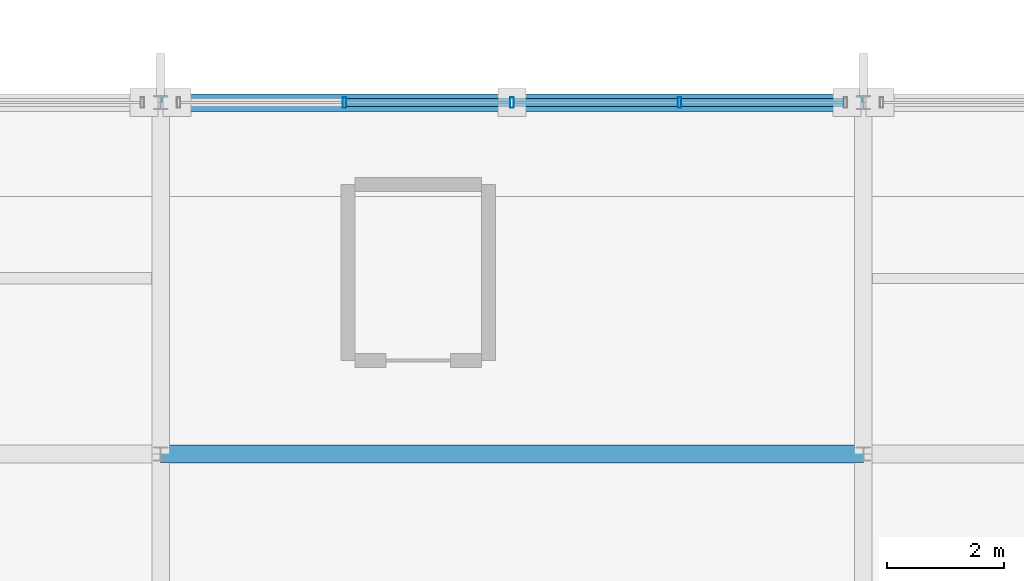
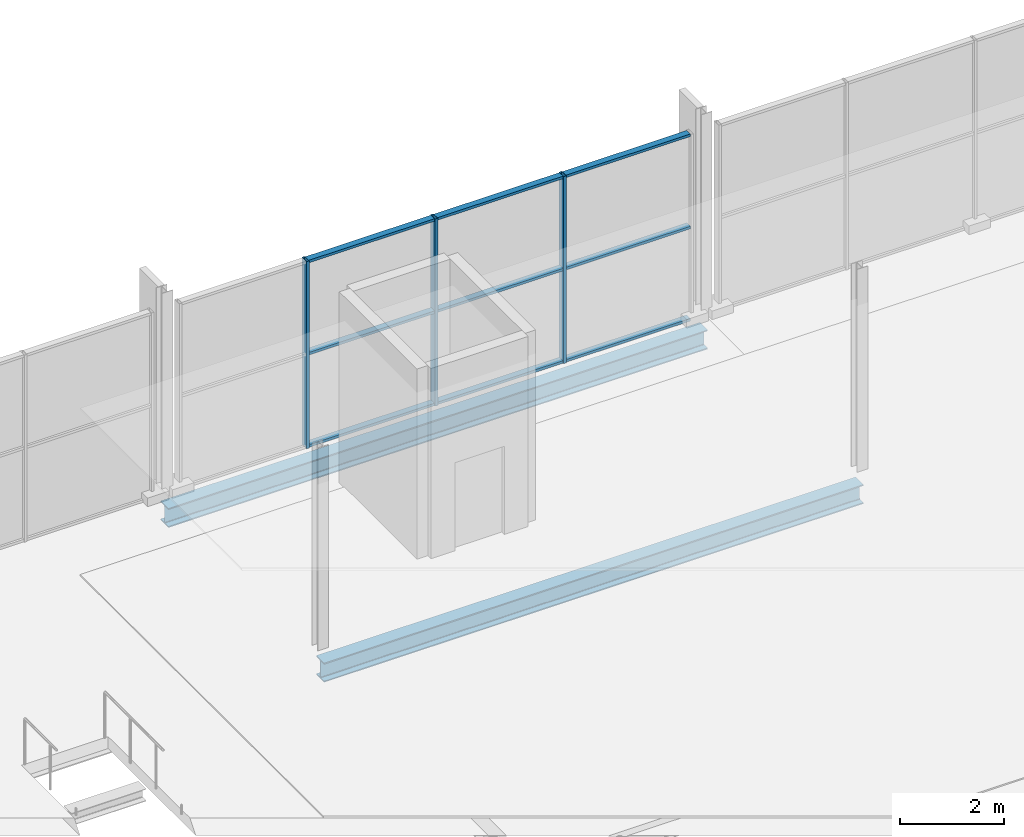
# One storey, part 64 of 159: 12 members, 2 beams, 1 element without a shape of its own.
"""IFC4 building model written with IfcOpenShell, lengths in metres."""

from ifc_helpers import new_model, si_unit, direction, frame, origin, origin_2d, place, context, subcontext, project, spatial, hollow_rectangle, i_section, extrude, material, material_profile, profile_set, type_object, element, aggregate, save


model = new_model("IFC4")

# Units and contexts
model_context = context("Model", 3, precision=1e-05, world=origin(), true_north=direction((0.0, 1.0)))
body_context = subcontext(model_context, "Body", "Model", "MODEL_VIEW")
ifc_project = project(units=[si_unit("LENGTHUNIT", "METRE"), si_unit("AREAUNIT", "SQUARE_METRE"), si_unit("VOLUMEUNIT", "CUBIC_METRE"), si_unit("PLANEANGLEUNIT", "RADIAN"), si_unit("MASSUNIT", "GRAM", prefix="KILO")], contexts=[model_context])

# Site, building, storey
site_placement = place(None, origin())
site = spatial("IfcSite", under=ifc_project, at=site_placement, CompositionType="ELEMENT")
building_placement = place(site_placement, origin())
building = spatial("IfcBuilding", under=site, at=building_placement, Name="Merenkruunu Market Hall", CompositionType="ELEMENT")
storey_placement = place(building_placement, frame((0.0, 0.0, 5.39990234375)))
storey = spatial("IfcBuildingStorey", under=building, at=storey_placement, Name="L01", CompositionType="ELEMENT", Elevation=5.39990234375)

# Curtain wall, members
ifc_material_1 = material(Name="Powder-coated aluminium", Category="aluminium")
curtain_wall_type = type_object("IfcCurtainWallType", Name="Glazed Curtain Wall CW05", PredefinedType="USERDEFINED", material=ifc_material_1)
curtain_wall_placement = place(storey_placement, origin())
curtain_wall = element("IfcCurtainWall", 1, at=curtain_wall_placement, inside=storey, type_object=curtain_wall_type, Name="CW-L01-CWM02-189", ObjectType="GLAZED_FACADE", PredefinedType="USERDEFINED")
ifc_material_profile_1 = material_profile(ifc_material_1, hollow_rectangle(XDim=0.06005859375, YDim=0.179931640625, WallThickness=0.00390625, at=origin_2d()), Name="ALU 60x180x4")
ifc_profile_set_1 = profile_set([ifc_material_profile_1], Name="Powder-coated aluminium")
member_type_1 = type_object("IfcMemberType", Name="Curtain Wall Mullion CWM02", PredefinedType="MULLION", material=ifc_profile_set_1)
member_1_placement = place(storey_placement, frame((103.93994140625, 45.60009765625, 0.0), z_axis=(0.0, 0.0, 1.0), x_axis=(1.0, 0.0, 0.0)))
member_1 = element("IfcMember", 2, at=member_1_placement, type_object=member_type_1, Name="CW05 mullion 2", PredefinedType="MULLION", context=body_context, shape_type="SweptSolid", body=[
    extrude(hollow_rectangle(XDim=0.06005859375, YDim=0.179931640625, WallThickness=0.00390625, at=origin_2d()), origin(), (0.0, 0.0, 1.0), 4.400146484375),
])
member_2_placement = place(storey_placement, frame((106.800048828125, 45.60009765625, 0.0), z_axis=(0.0, 0.0, 1.0), x_axis=(1.0, 0.0, 0.0)))
member_2 = element("IfcMember", 3, at=member_2_placement, type_object=member_type_1, Name="CW05 mullion 3", PredefinedType="MULLION", context=body_context, shape_type="SweptSolid", body=[
    extrude(hollow_rectangle(XDim=0.06005859375, YDim=0.179931640625, WallThickness=0.00390625, at=origin_2d()), origin(), (0.0, 0.0, 1.0), 4.400146484375),
])
member_3_placement = place(storey_placement, frame((109.659912109375, 45.60009765625, 0.0), z_axis=(0.0, 0.0, 1.0), x_axis=(1.0, 0.0, 0.0)))
member_3 = element("IfcMember", 4, at=member_3_placement, type_object=member_type_1, Name="CW05 mullion 4", PredefinedType="MULLION", context=body_context, shape_type="SweptSolid", body=[
    extrude(hollow_rectangle(XDim=0.06005859375, YDim=0.179931640625, WallThickness=0.00390625, at=origin_2d()), origin(), (0.0, 0.0, 1.0), 4.400146484375),
])
ifc_material_profile_2 = material_profile(ifc_material_1, hollow_rectangle(XDim=0.06005859375, YDim=0.139892578125, WallThickness=0.00390625, at=origin_2d()), Name="ALU 60x140x4")
ifc_profile_set_2 = profile_set([ifc_material_profile_2], Name="Powder-coated aluminium")
member_type_2 = type_object("IfcMemberType", Name="Curtain Wall Transom CWT02", PredefinedType="USERDEFINED", material=ifc_profile_set_2)
member_4_placement = place(storey_placement, frame((103.969970703125, 45.60009765625, 0.030029296875), z_axis=(1.0, 0.0, 0.0), x_axis=(0.0, 0.0, 1.0)))
member_4 = element("IfcMember", 5, at=member_4_placement, type_object=member_type_2, Name="CW05 transom 2.1", ObjectType="TRANSOM", PredefinedType="USERDEFINED", context=body_context, shape_type="SweptSolid", body=[
    extrude(hollow_rectangle(XDim=0.06005859375, YDim=0.139892578125, WallThickness=0.00390625, at=origin_2d()), origin(), (0.0, 0.0, 1.0), 2.800048828125),
])
member_5_placement = place(storey_placement, frame((103.969970703125, 45.60009765625, 2.2001953125), z_axis=(1.0, 0.0, 0.0), x_axis=(0.0, 0.0, 1.0)))
member_5 = element("IfcMember", 6, at=member_5_placement, type_object=member_type_2, Name="CW05 transom 2.2", ObjectType="TRANSOM", PredefinedType="USERDEFINED", context=body_context, shape_type="SweptSolid", body=[
    extrude(hollow_rectangle(XDim=0.06005859375, YDim=0.139892578125, WallThickness=0.00390625, at=origin_2d()), origin(), (0.0, 0.0, 1.0), 2.800048828125),
])
member_6_placement = place(storey_placement, frame((103.969970703125, 45.60009765625, 4.3701171875), z_axis=(1.0, 0.0, 0.0), x_axis=(0.0, 0.0, 1.0)))
member_6 = element("IfcMember", 7, at=member_6_placement, type_object=member_type_2, Name="CW05 transom 2.3", ObjectType="TRANSOM", PredefinedType="USERDEFINED", context=body_context, shape_type="SweptSolid", body=[
    extrude(hollow_rectangle(XDim=0.06005859375, YDim=0.139892578125, WallThickness=0.00390625, at=origin_2d()), origin(), (0.0, 0.0, 1.0), 2.800048828125),
])
member_7_placement = place(storey_placement, frame((106.830078125, 45.60009765625, 0.030029296875), z_axis=(1.0, 0.0, 0.0), x_axis=(0.0, 0.0, 1.0)))
member_7 = element("IfcMember", 8, at=member_7_placement, type_object=member_type_2, Name="CW05 transom 3.1", ObjectType="TRANSOM", PredefinedType="USERDEFINED", context=body_context, shape_type="SweptSolid", body=[
    extrude(hollow_rectangle(XDim=0.06005859375, YDim=0.139892578125, WallThickness=0.00390625, at=origin_2d()), origin(), (0.0, 0.0, 1.0), 2.7998046875),
])
member_8_placement = place(storey_placement, frame((106.830078125, 45.60009765625, 2.2001953125), z_axis=(1.0, 0.0, 0.0), x_axis=(0.0, 0.0, 1.0)))
member_8 = element("IfcMember", 9, at=member_8_placement, type_object=member_type_2, Name="CW05 transom 3.2", ObjectType="TRANSOM", PredefinedType="USERDEFINED", context=body_context, shape_type="SweptSolid", body=[
    extrude(hollow_rectangle(XDim=0.06005859375, YDim=0.139892578125, WallThickness=0.00390625, at=origin_2d()), origin(), (0.0, 0.0, 1.0), 2.7998046875),
])
member_9_placement = place(storey_placement, frame((106.830078125, 45.60009765625, 4.3701171875), z_axis=(1.0, 0.0, 0.0), x_axis=(0.0, 0.0, 1.0)))
member_9 = element("IfcMember", 10, at=member_9_placement, type_object=member_type_2, Name="CW05 transom 3.3", ObjectType="TRANSOM", PredefinedType="USERDEFINED", context=body_context, shape_type="SweptSolid", body=[
    extrude(hollow_rectangle(XDim=0.06005859375, YDim=0.139892578125, WallThickness=0.00390625, at=origin_2d()), origin(), (0.0, 0.0, 1.0), 2.7998046875),
])
member_10_placement = place(storey_placement, frame((109.68994140625, 45.60009765625, 0.030029296875), z_axis=(1.0, 0.0, 0.0), x_axis=(0.0, 0.0, 1.0)))
member_10 = element("IfcMember", 11, at=member_10_placement, type_object=member_type_2, Name="CW05 transom 4.1", ObjectType="TRANSOM", PredefinedType="USERDEFINED", context=body_context, shape_type="SweptSolid", body=[
    extrude(hollow_rectangle(XDim=0.06005859375, YDim=0.139892578125, WallThickness=0.00390625, at=origin_2d()), origin(), (0.0, 0.0, 1.0), 2.77001953125),
])
member_11_placement = place(storey_placement, frame((109.68994140625, 45.60009765625, 2.2001953125), z_axis=(1.0, 0.0, 0.0), x_axis=(0.0, 0.0, 1.0)))
member_11 = element("IfcMember", 12, at=member_11_placement, type_object=member_type_2, Name="CW05 transom 4.2", ObjectType="TRANSOM", PredefinedType="USERDEFINED", context=body_context, shape_type="SweptSolid", body=[
    extrude(hollow_rectangle(XDim=0.06005859375, YDim=0.139892578125, WallThickness=0.00390625, at=origin_2d()), origin(), (0.0, 0.0, 1.0), 2.77001953125),
])
member_12_placement = place(storey_placement, frame((109.68994140625, 45.60009765625, 4.3701171875), z_axis=(1.0, 0.0, 0.0), x_axis=(0.0, 0.0, 1.0)))
member_12 = element("IfcMember", 13, at=member_12_placement, type_object=member_type_2, Name="CW05 transom 4.3", ObjectType="TRANSOM", PredefinedType="USERDEFINED", context=body_context, shape_type="SweptSolid", body=[
    extrude(hollow_rectangle(XDim=0.06005859375, YDim=0.139892578125, WallThickness=0.00390625, at=origin_2d()), origin(), (0.0, 0.0, 1.0), 2.77001953125),
])
aggregate(curtain_wall, [member_1, member_2, member_3, member_4, member_5, member_6, member_7, member_8, member_9, member_10, member_11, member_12])

# Beams
ifc_material_2 = material(Name="Steel S355J2", Category="steel")
ifc_material_profile_3 = material_profile(ifc_material_2, i_section(OverallWidth=0.300048828125, OverallDepth=0.449951171875, WebThickness=0.013916015625, FlangeThickness=0.02587890625, FilletRadius=0.027099609375, at=origin_2d()), Name="HEB 450")
ifc_profile_set_3 = profile_set([ifc_material_profile_3], Name="Steel S355J2")
beam_type = type_object("IfcBeamType", Name="Primary Floor Girder B03", PredefinedType="BEAM", material=ifc_profile_set_3)
for number, where, z_axis, x_axis, name in (
    (14, (100.800048828125, 39.60009765625, -0.5048828125), (1.0, 0.0, 0.0), (0.0, 1.0, 0.0), "BM-L01-B03-0499"),
    (15, (100.800048828125, 45.60009765625, -0.5048828125), (1.0, 0.0, 0.0), (0.0, 1.0, 0.0), "BM-L01-B03-0511"),
):
    element("IfcBeam", number, at=place(storey_placement, frame(where, z_axis=z_axis, x_axis=x_axis)), inside=storey, type_object=beam_type, Name=name, PredefinedType="BEAM", context=body_context, shape_type="SweptSolid", body=[
        extrude(i_section(OverallWidth=0.300048828125, OverallDepth=0.449951171875, WebThickness=0.013916015625, FlangeThickness=0.02587890625, FilletRadius=0.027099609375, at=origin_2d()), origin(), (0.0, 0.0, 1.0), 12.0),
    ])

save(model, "model.ifc")
